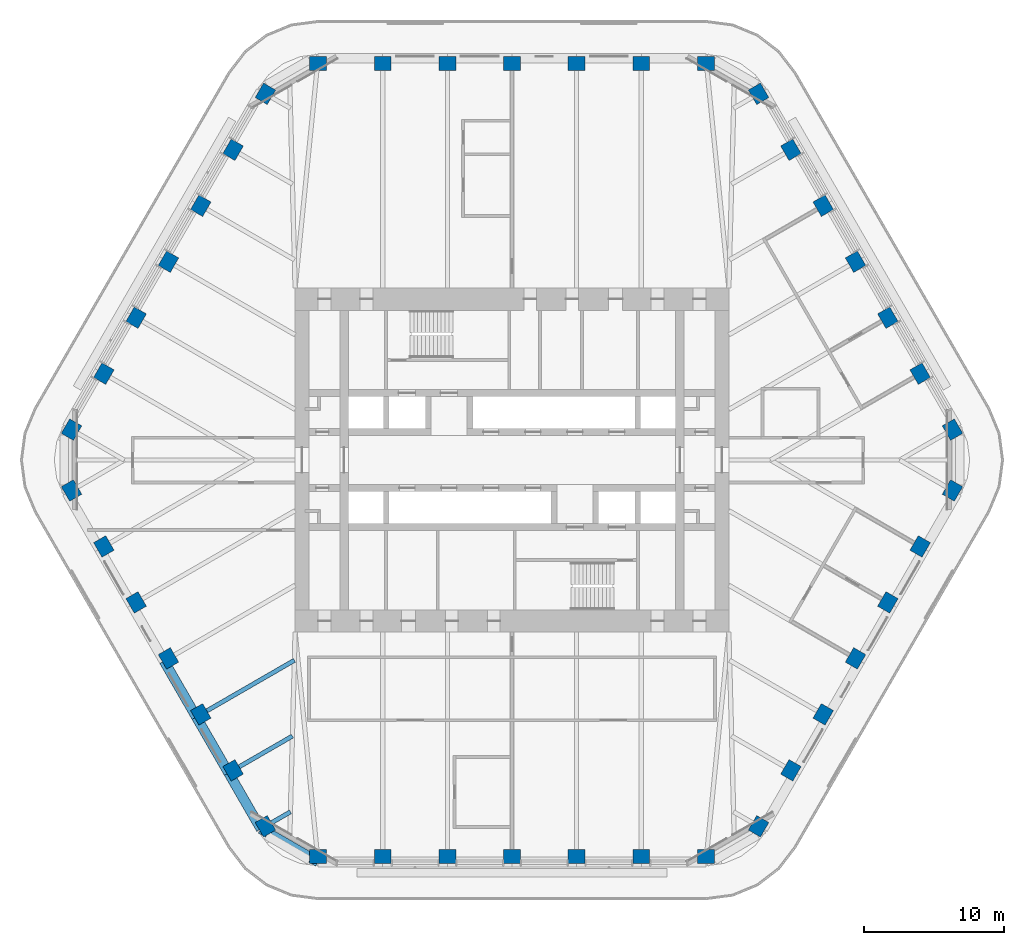
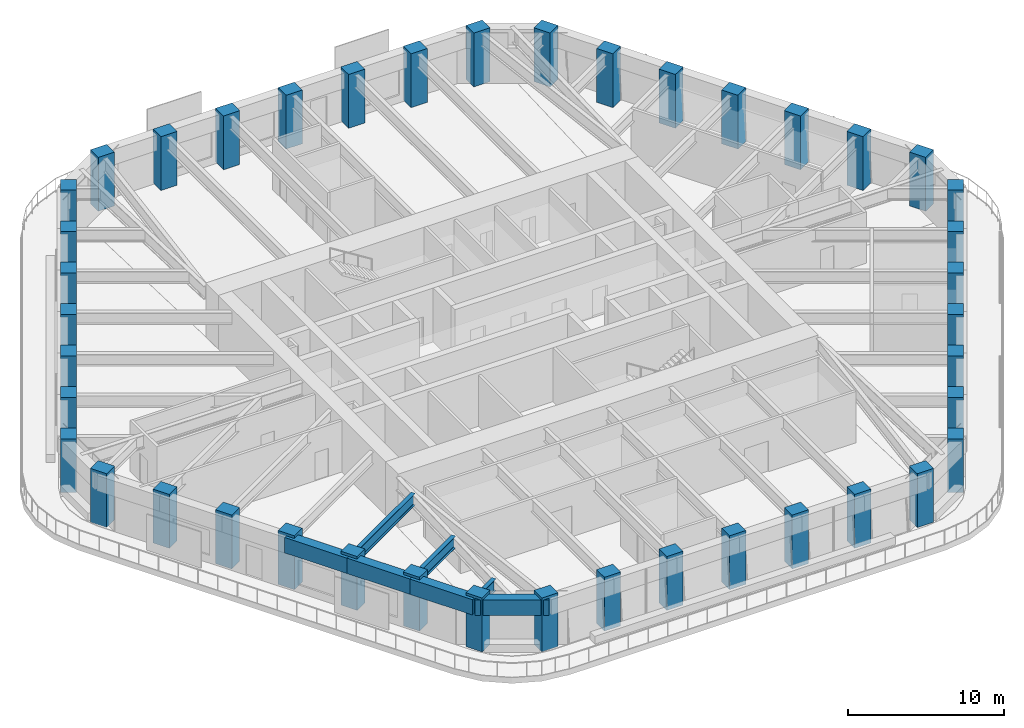
# One storey, part 1 of 20: 42 columns, 7 beams.
"""IFC4 building model written with IfcOpenShell, lengths in metres."""

from ifc_helpers import new_model, si_unit, direction, frame, origin, origin_2d, place, context, subcontext, project, spatial, rectangle, i_section, extrude, material, material_profile, profile_set, type_object, element, save


model = new_model("IFC4")

# Units and contexts
model_context = context("Model", 3, precision=1e-05, world=origin(), true_north=direction((0.0, 1.0)))
body_context = subcontext(model_context, "Body", "Model", "MODEL_VIEW")
ifc_project = project(units=[si_unit("LENGTHUNIT", "METRE"), si_unit("AREAUNIT", "SQUARE_METRE"), si_unit("VOLUMEUNIT", "CUBIC_METRE"), si_unit("PLANEANGLEUNIT", "RADIAN"), si_unit("MASSUNIT", "GRAM", prefix="KILO")], contexts=[model_context])

# Site, building, storey
site_placement = place(None, origin())
site = spatial("IfcSite", under=ifc_project, at=site_placement, CompositionType="ELEMENT")
building_placement = place(site_placement, origin())
building = spatial("IfcBuilding", under=site, at=building_placement, Name="Tarfa Lantern Tower", CompositionType="ELEMENT")
storey_placement = place(building_placement, frame((0.0, 0.0, 257.5)))
storey = spatial("IfcBuildingStorey", under=building, at=storey_placement, Name="L58", CompositionType="ELEMENT", Elevation=257.5)

# Columns
ifc_material_1 = material(Name="Concrete C80/95", Category="concrete")
ifc_material_profile_1 = material_profile(ifc_material_1, rectangle(XDim=1.199951171875, YDim=1.0, at=origin_2d()), Name="RC 1200x1000")
ifc_profile_set_1 = profile_set([ifc_material_profile_1], Name="Concrete C80/95")
column_type = type_object("IfcColumnType", Name="TC11 RC 1200x1000", PredefinedType="COLUMN", material=ifc_profile_set_1)
for number, where, z_axis, x_axis, name in (
    (1, (31.47998046875, 2.175048828125, 0.0), (0.0, 0.0, 1.0), (-0.5, 0.866025403784, 0.0), "Tube column NE0"),
    (2, (29.170654296875, 6.175048828125, 0.0), (0.0, 0.0, 1.0), (-0.5, 0.866025403784, 0.0), "Tube column NE1"),
    (3, (26.861328125, 10.175048828125, 0.0), (0.0, 0.0, 1.0), (-0.5, 0.866025403784, 0.0), "Tube column NE2"),
    (4, (24.5517578125, 14.175048828125, 0.0), (0.0, 0.0, 1.0), (-0.5, 0.866025403784, 0.0), "Tube column NE3"),
    (5, (22.242431640625, 18.175048828125, 0.0), (0.0, 0.0, 1.0), (-0.5, 0.866025403784, 0.0), "Tube column NE4"),
    (6, (19.93310546875, 22.175048828125, 0.0), (0.0, 0.0, 1.0), (-0.5, 0.866025403784, 0.0), "Tube column NE5"),
    (7, (17.62353515625, 26.175048828125, 0.0), (0.0, 0.0, 1.0), (-0.5, 0.866025403784, 0.0), "Tube column NE6"),
    (8, (13.8564453125, 28.35009765625, 0.0), (0.0, 0.0, 1.0), (-1.0, 0.0, 0.0), "Tube column N0"),
    (9, (9.237548828125, 28.35009765625, 0.0), (0.0, 0.0, 1.0), (-1.0, 0.0, 0.0), "Tube column N1"),
    (10, (4.618896484375, 28.35009765625, 0.0), (0.0, 0.0, 1.0), (-1.0, 0.0, 0.0), "Tube column N2"),
    (11, (0.0, 28.35009765625, 0.0), (0.0, 0.0, 1.0), (-1.0, 0.0, 0.0), "Tube column N3"),
    (12, (-4.618896484375, 28.35009765625, 0.0), (0.0, 0.0, 1.0), (-1.0, 0.0, 0.0), "Tube column N4"),
    (13, (-9.237548828125, 28.35009765625, 0.0), (0.0, 0.0, 1.0), (-1.0, 0.0, 0.0), "Tube column N5"),
    (14, (-13.8564453125, 28.35009765625, 0.0), (0.0, 0.0, 1.0), (-1.0, 0.0, 0.0), "Tube column N6"),
    (15, (-17.62353515625, 26.175048828125, 0.0), (0.0, 0.0, 1.0), (-0.5, -0.866025403784, 0.0), "Tube column NW0"),
    (16, (-19.93310546875, 22.175048828125, 0.0), (0.0, 0.0, 1.0), (-0.5, -0.866025403784, 0.0), "Tube column NW1"),
    (17, (-22.242431640625, 18.175048828125, 0.0), (0.0, 0.0, 1.0), (-0.5, -0.866025403784, 0.0), "Tube column NW2"),
    (18, (-24.5517578125, 14.175048828125, 0.0), (0.0, 0.0, 1.0), (-0.5, -0.866025403784, 0.0), "Tube column NW3"),
    (19, (-26.861328125, 10.175048828125, 0.0), (0.0, 0.0, 1.0), (-0.5, -0.866025403784, 0.0), "Tube column NW4"),
    (20, (-29.170654296875, 6.175048828125, 0.0), (0.0, 0.0, 1.0), (-0.5, -0.866025403784, 0.0), "Tube column NW5"),
    (21, (-31.47998046875, 2.175048828125, 0.0), (0.0, 0.0, 1.0), (-0.5, -0.866025403784, 0.0), "Tube column NW6"),
    (22, (-31.47998046875, -2.175048828125, 0.0), (0.0, 0.0, 1.0), (0.5, -0.866025403784, 0.0), "Tube column SW0"),
    (23, (-29.170654296875, -6.175048828125, 0.0), (0.0, 0.0, 1.0), (0.5, -0.866025403784, 0.0), "Tube column SW1"),
    (24, (-26.861328125, -10.175048828125, 0.0), (0.0, 0.0, 1.0), (0.5, -0.866025403784, 0.0), "Tube column SW2"),
    (25, (-24.5517578125, -14.175048828125, 0.0), (0.0, 0.0, 1.0), (0.5, -0.866025403784, 0.0), "Tube column SW3"),
    (26, (-22.242431640625, -18.175048828125, 0.0), (0.0, 0.0, 1.0), (0.5, -0.866025403784, 0.0), "Tube column SW4"),
    (27, (-19.93310546875, -22.175048828125, 0.0), (0.0, 0.0, 1.0), (0.5, -0.866025403784, 0.0), "Tube column SW5"),
    (28, (-17.62353515625, -26.175048828125, 0.0), (0.0, 0.0, 1.0), (0.5, -0.866025403784, 0.0), "Tube column SW6"),
    (29, (-13.8564453125, -28.35009765625, 0.0), (0.0, 0.0, 1.0), (1.0, 0.0, 0.0), "Tube column S0"),
    (30, (-9.237548828125, -28.35009765625, 0.0), (0.0, 0.0, 1.0), (1.0, 0.0, 0.0), "Tube column S1"),
    (31, (-4.618896484375, -28.35009765625, 0.0), (0.0, 0.0, 1.0), (1.0, 0.0, 0.0), "Tube column S2"),
    (32, (0.0, -28.35009765625, 0.0), (0.0, 0.0, 1.0), (1.0, 0.0, 0.0), "Tube column S3"),
    (33, (4.618896484375, -28.35009765625, 0.0), (0.0, 0.0, 1.0), (1.0, 0.0, 0.0), "Tube column S4"),
    (34, (9.237548828125, -28.35009765625, 0.0), (0.0, 0.0, 1.0), (1.0, 0.0, 0.0), "Tube column S5"),
    (35, (13.8564453125, -28.35009765625, 0.0), (0.0, 0.0, 1.0), (1.0, 0.0, 0.0), "Tube column S6"),
    (36, (17.62353515625, -26.175048828125, 0.0), (0.0, 0.0, 1.0), (0.5, 0.866025403784, 0.0), "Tube column SE0"),
    (37, (19.93310546875, -22.175048828125, 0.0), (0.0, 0.0, 1.0), (0.5, 0.866025403784, 0.0), "Tube column SE1"),
    (38, (22.242431640625, -18.175048828125, 0.0), (0.0, 0.0, 1.0), (0.5, 0.866025403784, 0.0), "Tube column SE2"),
    (39, (24.5517578125, -14.175048828125, 0.0), (0.0, 0.0, 1.0), (0.5, 0.866025403784, 0.0), "Tube column SE3"),
    (40, (26.861328125, -10.175048828125, 0.0), (0.0, 0.0, 1.0), (0.5, 0.866025403784, 0.0), "Tube column SE4"),
    (41, (29.170654296875, -6.175048828125, 0.0), (0.0, 0.0, 1.0), (0.5, 0.866025403784, 0.0), "Tube column SE5"),
    (42, (31.47998046875, -2.175048828125, 0.0), (0.0, 0.0, 1.0), (0.5, 0.866025403784, 0.0), "Tube column SE6"),
):
    element("IfcColumn", number, at=place(storey_placement, frame(where, z_axis=z_axis, x_axis=x_axis)), inside=storey, type_object=column_type, Name=name, PredefinedType="COLUMN", context=body_context, shape_type="SweptSolid", body=[
        extrude(rectangle(XDim=1.199951171875, YDim=1.0, at=origin_2d()), origin(), (0.0, 0.0, 1.0), 4.199951171875),
    ])

# Beams
ifc_material_profile_2 = material_profile(ifc_material_1, rectangle(XDim=0.699951171875, YDim=1.199951171875, at=origin_2d()), Name="RC 700x1200")
ifc_profile_set_2 = profile_set([ifc_material_profile_2], Name="Concrete C80/95")
beam_type_1 = type_object("IfcBeamType", Name="EB3 RC 700x1200", PredefinedType="SPANDREL", material=ifc_profile_set_2)
beam_1_placement = place(storey_placement, frame((-24.872314453125, -14.360107421875, 3.39990234375), z_axis=(0.500027479704, -0.866009537788, 0.0), x_axis=(0.866009537788, 0.500027479704, 0.0)))
element("IfcBeam", 43, at=beam_1_placement, inside=storey, type_object=beam_type_1, Name="Edge beam SW3", PredefinedType="SPANDREL", context=body_context, shape_type="SweptSolid", body=[
    extrude(rectangle(XDim=0.699951171875, YDim=1.199951171875, at=origin_2d()), origin(), (0.0, 0.0, 1.0), 4.618896484375),
])
for number, where, z_axis, x_axis, name in (
    (44, (-22.562744140625, -18.360107421875, 3.39990234375), (0.499987836815, -0.866032426089, 0.0), (0.866032426089, 0.499987836815, 0.0), "Edge beam SW4"),
    (45, (-20.25341796875, -22.360107421875, 3.39990234375), (0.499987836815, -0.866032426089, 0.0), (0.866032426089, 0.499987836815, 0.0), "Edge beam SW5"),
):
    element("IfcBeam", number, at=place(storey_placement, frame(where, z_axis=z_axis, x_axis=x_axis)), inside=storey, type_object=beam_type_1, Name=name, PredefinedType="SPANDREL", context=body_context, shape_type="SweptSolid", body=[
        extrude(rectangle(XDim=0.699951171875, YDim=1.199951171875, at=origin_2d()), origin(), (0.0, 0.0, 1.0), 4.61865234375),
    ])
beam_2_placement = place(storey_placement, frame((-17.944091796875, -26.360107421875, 3.39990234375), z_axis=(0.866038294681, -0.499977671647, 0.0), x_axis=(0.499977671647, 0.866038294681, 0.0)))
element("IfcBeam", 46, at=beam_2_placement, inside=storey, type_object=beam_type_1, Name="Edge beam SW6", PredefinedType="SPANDREL", context=body_context, shape_type="SweptSolid", body=[
    extrude(rectangle(XDim=0.699951171875, YDim=1.199951171875, at=origin_2d()), origin(), (0.0, 0.0, 1.0), 4.719970703125),
])
ifc_material_2 = material(Name="Steel S460M", Category="steel")
ifc_material_profile_3 = material_profile(ifc_material_2, i_section(OverallWidth=0.305419921875, OverallDepth=0.91845703125, WebThickness=0.017333984375, FlangeThickness=0.02783203125, FilletRadius=0.01904296875, at=origin_2d()), Name="UB914x305x253")
ifc_profile_set_3 = profile_set([ifc_material_profile_3], Name="Steel S460M")
beam_type_2 = type_object("IfcBeamType", Name="UB914x305x253", PredefinedType="BEAM", material=ifc_profile_set_3)
beam_3_placement = place(storey_placement, frame((-22.562744140625, -18.360107421875, 3.540771484375), z_axis=(0.866010787764, 0.500025314835, 0.0), x_axis=(-0.500025314835, 0.866010787764, 0.0)))
element("IfcBeam", 47, at=beam_3_placement, inside=storey, type_object=beam_type_2, Name="Floor beam SW4", PredefinedType="BEAM", context=body_context, shape_type="SweptSolid", body=[
    extrude(i_section(OverallWidth=0.305419921875, OverallDepth=0.91845703125, WebThickness=0.017333984375, FlangeThickness=0.02783203125, FilletRadius=0.01904296875, at=origin_2d()), origin(), (0.0, 0.0, 1.0), 8.09423828125),
])
beam_4_placement = place(storey_placement, frame((-20.25341796875, -22.360107421875, 3.540771484375), z_axis=(0.86601951648, 0.500010196972, 0.0), x_axis=(-0.500010196972, 0.86601951648, 0.0)))
element("IfcBeam", 48, at=beam_4_placement, inside=storey, type_object=beam_type_2, Name="Floor beam SW5", PredefinedType="BEAM", context=body_context, shape_type="SweptSolid", body=[
    extrude(i_section(OverallWidth=0.305419921875, OverallDepth=0.91845703125, WebThickness=0.017333984375, FlangeThickness=0.02783203125, FilletRadius=0.01904296875, at=origin_2d()), origin(), (0.0, 0.0, 1.0), 5.263671875),
])
beam_5_placement = place(storey_placement, frame((-17.944091796875, -26.360107421875, 3.540771484375), z_axis=(0.865980009423, 0.5000786171, 0.0), x_axis=(-0.5000786171, 0.865980009423, 0.0)))
element("IfcBeam", 49, at=beam_5_placement, inside=storey, type_object=beam_type_2, Name="Floor beam SW6", PredefinedType="BEAM", context=body_context, shape_type="SweptSolid", body=[
    extrude(i_section(OverallWidth=0.305419921875, OverallDepth=0.91845703125, WebThickness=0.017333984375, FlangeThickness=0.02783203125, FilletRadius=0.01904296875, at=origin_2d()), origin(), (0.0, 0.0, 1.0), 2.4326171875),
])

save(model, "model.ifc")
